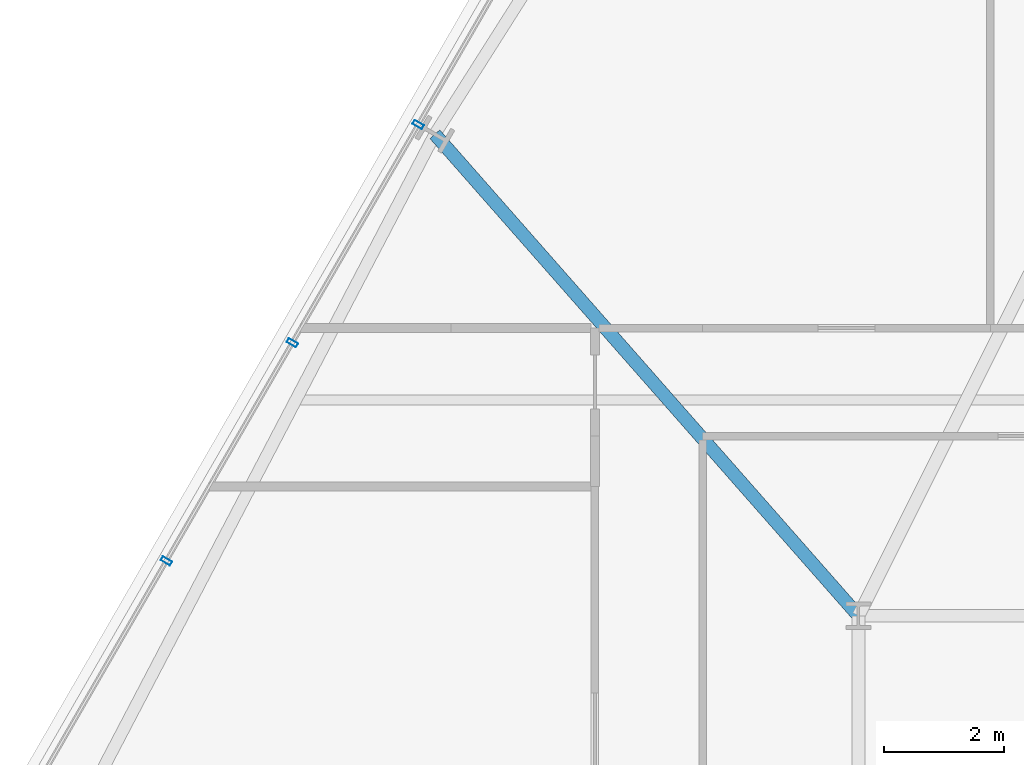
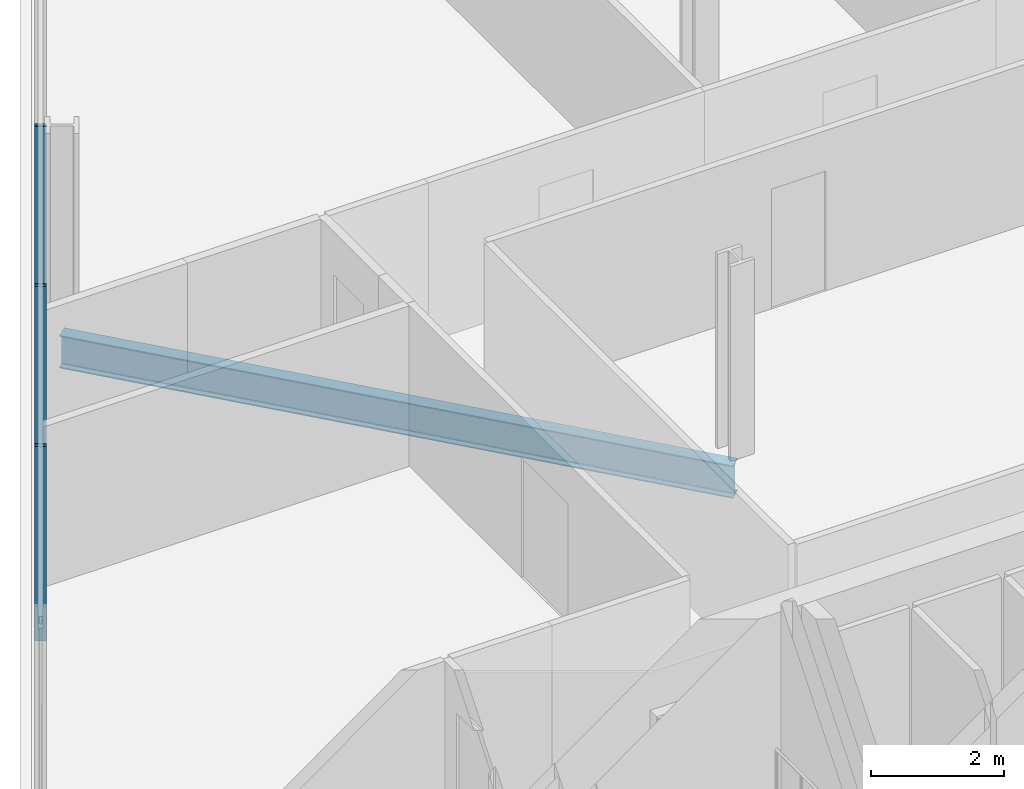
# One storey, part 11 of 31: 3 members, 1 beam, 1 element without a shape of its own.
"""IFC4 building model written with IfcOpenShell, lengths in metres."""

import ifcopenshell
import ifcopenshell.guid

model = None  # the IFC model being written
_history = None  # IfcOwnerHistory: only IFC2X3 demands one
_inside = {}  # id of a spatial element -> (the spatial element, [elements in it])
_under = {}  # id of a project, library or spatial element -> (it, [spatial elements below it])
_declared = {}  # id of a project -> (the project, [libraries it declares])
_typed = {}  # id of a type object -> (the type object, [elements of that type])
_made_of = {}  # id of a material, layer set ... -> (it, [elements and type objects made of it])


def new_model(schema):
    """Start an empty IFC model of exactly this schema.

    Asked for "IFC4X3", IfcOpenShell would pick the latest addendum, in which some entities
    have other attributes; the version numbers below select the first issue.
    IFC2X3 requires an IfcOwnerHistory on every rooted entity: one is made here for all.
    """
    global model, _history
    if schema == "IFC4X3":
        model = ifcopenshell.file(schema_version=(4, 3, 0, 0))
    else:
        model = ifcopenshell.file(schema=schema)
    _inside.clear()
    _under.clear()
    _declared.clear()
    _typed.clear()
    _made_of.clear()
    _history = None
    if model.schema == "IFC2X3":
        org = make("IfcOrganization", Name="unknown")
        user = make(
            "IfcPersonAndOrganization",
            ThePerson=make("IfcPerson", FamilyName="unknown"),
            TheOrganization=org,
        )
        app = make(
            "IfcApplication",
            ApplicationDeveloper=org,
            Version="unknown",
            ApplicationFullName="unknown",
            ApplicationIdentifier="unknown",
        )
        _history = make(
            "IfcOwnerHistory",
            OwningUser=user,
            OwningApplication=app,
            ChangeAction="ADDED",
            CreationDate=0,
        )
    return model


def make(cls, **values):
    """One entity of the class cls with the attributes given. An attribute that is None is left unset."""
    return model.create_entity(
        cls, **{name: value for name, value in values.items() if value is not None}
    )


def rooted(cls, **values):
    """An entity with a GlobalId (a new one), such as an element, a storey or a relation."""
    return make(cls, GlobalId=ifcopenshell.guid.new(), OwnerHistory=_history, **values)


def si_unit(unit_type, name, prefix=None):
    """IfcSIUnit, for example si_unit("LENGTHUNIT", "METRE", prefix="MILLI")."""
    return make("IfcSIUnit", UnitType=unit_type, Prefix=prefix, Name=name)


def assignment(units):
    """IfcUnitAssignment: the units of a project."""
    return None if units is None else make("IfcUnitAssignment", Units=units)


def point(xyz):
    """IfcCartesianPoint."""
    return None if xyz is None else make("IfcCartesianPoint", Coordinates=xyz)


def direction(xyz):
    """IfcDirection."""
    return None if xyz is None else make("IfcDirection", DirectionRatios=xyz)


def frame(location, z_axis=None, x_axis=None):
    """IfcAxis2Placement3D, a coordinate frame: its origin and axes. An axis left out is left unset."""
    return make(
        "IfcAxis2Placement3D",
        Location=point(location),
        Axis=direction(z_axis),
        RefDirection=direction(x_axis),
    )


def frame_2d(location, x_axis=None):
    """IfcAxis2Placement2D, a coordinate frame in the plane: its origin and x axis."""
    return make(
        "IfcAxis2Placement2D", Location=point(location), RefDirection=direction(x_axis)
    )


def origin():
    """The frame at (0, 0, 0) with its axes left unset."""
    return frame((0.0, 0.0, 0.0))


def origin_2d():
    """The frame at (0, 0) in the plane with its x axis left unset."""
    return frame_2d((0.0, 0.0))


def place(relative_to, where):
    """IfcLocalPlacement: puts the frame where relative to a parent placement (None: the world)."""
    return make(
        "IfcLocalPlacement", PlacementRelTo=relative_to, RelativePlacement=where
    )


def context(
    kind, dimensions, precision=None, world=None, true_north=None, identifier=None
):
    """IfcGeometricRepresentationContext, for example the 3D "Model" context."""
    return make(
        "IfcGeometricRepresentationContext",
        ContextIdentifier=identifier,
        ContextType=kind,
        CoordinateSpaceDimension=dimensions,
        Precision=precision,
        WorldCoordinateSystem=world,
        TrueNorth=true_north,
    )


def subcontext(parent, identifier, kind, view, scale=None):
    """IfcGeometricRepresentationSubContext, for example "Body" below "Model"."""
    return make(
        "IfcGeometricRepresentationSubContext",
        ContextIdentifier=identifier,
        ContextType=kind,
        ParentContext=parent,
        TargetScale=scale,
        TargetView=view,
    )


def project(units=None, contexts=None):
    """IfcProject with its units and contexts."""
    return rooted(
        "IfcProject",
        Name="project",
        RepresentationContexts=contexts,
        UnitsInContext=assignment(units),
    )


def spatial(cls, under=None, at=None, **own):
    """A site, building, storey or space (cls), placed at a placement, below another one or the project."""
    s = rooted(cls, ObjectPlacement=at, **own)
    if under is not None:
        _under.setdefault(under.id(), (under, []))[1].append(s)
    return s


def profile(cls, at=None, kind="AREA", **sizes):
    """A parametric profile (cls). Its sizes go by their IFC names, for example OverallWidth=200.0."""
    return make(cls, ProfileType=kind, Position=at, **sizes)


def hollow_rectangle(**sizes):
    """IfcRectangleHollowProfileDef."""
    return profile("IfcRectangleHollowProfileDef", **sizes)


def i_section(**sizes):
    """IfcIShapeProfileDef."""
    return profile("IfcIShapeProfileDef", **sizes)


def extrude(swept, where, along, depth):
    """IfcExtrudedAreaSolid: the profile swept, set in the frame where, extruded along a direction by depth."""
    return make(
        "IfcExtrudedAreaSolid",
        SweptArea=swept,
        Position=where,
        ExtrudedDirection=direction(along),
        Depth=depth,
    )


def shape(context_of_items, identifier, shape_type, items):
    """IfcShapeRepresentation: the items that make up one representation, for example the "Body"."""
    return make(
        "IfcShapeRepresentation",
        ContextOfItems=context_of_items,
        RepresentationIdentifier=identifier,
        RepresentationType=shape_type,
        Items=items,
    )


def material(Name=None, Category=None):
    """IfcMaterial."""
    return make("IfcMaterial", Name=Name, Category=Category)


def layer(
    of_material, thickness, ventilated=None, Name=None, Category=None, Priority=None
):
    """IfcMaterialLayer: one layer of a wall or slab, of a material (None: an air gap)."""
    return make(
        "IfcMaterialLayer",
        Material=of_material,
        LayerThickness=thickness,
        IsVentilated=ventilated,
        Name=Name,
        Category=Category,
        Priority=Priority,
    )


def layer_set(layers, Name=None):
    """IfcMaterialLayerSet."""
    return make("IfcMaterialLayerSet", MaterialLayers=layers, LayerSetName=Name)


def material_profile(
    of_material, cross_section, Name=None, Category=None, Priority=None
):
    """IfcMaterialProfile: a cross section and its material."""
    return make(
        "IfcMaterialProfile",
        Name=Name,
        Material=of_material,
        Profile=cross_section,
        Priority=Priority,
        Category=Category,
    )


def profile_set(profiles, Name=None, composite=None):
    """IfcMaterialProfileSet."""
    return make(
        "IfcMaterialProfileSet",
        Name=Name,
        MaterialProfiles=profiles,
        CompositeProfile=composite,
    )


def made_of(thing, what):
    """Note that an element or type object is made of a material, layer set ...; save() writes the relation."""
    if what is not None:
        _made_of.setdefault(what.id(), (what, []))[1].append(thing)
    return thing


def type_object(cls, material=None, **own):
    """A type object (cls), such as IfcWallType, which elements share."""
    return made_of(rooted(cls, **own), material)


def element(
    cls,
    number,
    at=None,
    inside=None,
    cuts=None,
    type_object=None,
    material=None,
    context=None,
    identifier="Body",
    shape_type=None,
    held_by="IfcProductDefinitionShape",
    body=None,
    shapes=None,
    **own,
):
    """One element of the class cls, such as IfcWall. Its Tag is "e" and its number.

    at: its placement. inside: the storey or other place that contains it. cuts: it is an
    opening in that element (IfcRelVoidsElement). A single representation is given by context,
    identifier, shape_type and body (its items); several are given by shapes. held_by: the class
    of the entity that holds the representations. save() writes the other relations.
    """
    e = rooted(cls, Tag="e%d" % number, ObjectPlacement=at, **own)
    if body is not None:
        shapes = [shape(context, identifier, shape_type, body)]
    if shapes is not None:
        e.Representation = make(held_by, Representations=shapes)
    if inside is not None:
        _inside.setdefault(inside.id(), (inside, []))[1].append(e)
    if cuts is not None:
        rooted(
            "IfcRelVoidsElement", RelatingBuildingElement=cuts, RelatedOpeningElement=e
        )
    if type_object is not None:
        _typed.setdefault(type_object.id(), (type_object, []))[1].append(e)
    return made_of(e, material)


def aggregate(whole, parts):
    """IfcRelAggregates: a whole, such as a stair, and the parts it consists of."""
    return rooted("IfcRelAggregates", RelatingObject=whole, RelatedObjects=parts)


def save(model, path):
    """Write the relations noted so far, then the file.

    IfcRelAggregates (storeys below a building ...), IfcRelContainedInSpatialStructure (elements
    in a storey), IfcRelDefinesByType, IfcRelAssociatesMaterial and IfcRelDeclares: one each for
    every whole, place, type object, material and project.
    """
    for whole, parts in _under.values():
        aggregate(whole, parts)
    for where, things in _inside.values():
        rooted(
            "IfcRelContainedInSpatialStructure",
            RelatedElements=things,
            RelatingStructure=where,
        )
    for kind, things in _typed.values():
        rooted("IfcRelDefinesByType", RelatedObjects=things, RelatingType=kind)
    for what, things in _made_of.values():
        rooted("IfcRelAssociatesMaterial", RelatedObjects=things, RelatingMaterial=what)
    for by, libraries in _declared.values():
        rooted("IfcRelDeclares", RelatingContext=by, RelatedDefinitions=libraries)
    model.write(path)


model = new_model("IFC4")

# Units and contexts
model_context = context("Model", 3, precision=1e-05, world=origin(), true_north=direction((0.0, 1.0)))
body_context = subcontext(model_context, "Body", "Model", "MODEL_VIEW")
ifc_project = project(units=[si_unit("LENGTHUNIT", "METRE"), si_unit("AREAUNIT", "SQUARE_METRE"), si_unit("VOLUMEUNIT", "CUBIC_METRE"), si_unit("PLANEANGLEUNIT", "RADIAN"), si_unit("MASSUNIT", "GRAM", prefix="KILO")], contexts=[model_context])

# Site, building, storey
site_placement = place(None, origin())
site = spatial("IfcSite", under=ifc_project, at=site_placement, CompositionType="ELEMENT")
building_placement = place(site_placement, origin())
building = spatial("IfcBuilding", under=site, at=building_placement, Name="Ndaravel Arena Tower", CompositionType="ELEMENT")
storey_placement = place(building_placement, frame((0.0, 0.0, 100.60009765625)))
storey = spatial("IfcBuildingStorey", under=building, at=storey_placement, Name="L23", CompositionType="ELEMENT", Elevation=100.60009765625)

# Beam
ifc_material_1 = material(Name="Steel S355", Category="steel")
ifc_material_profile_1 = material_profile(ifc_material_1, i_section(OverallWidth=0.219970703125, OverallDepth=0.60009765625, WebThickness=0.011962890625, FlangeThickness=0.01904296875, FilletRadius=0.02392578125, at=origin_2d()), Name="IPE 600")
ifc_profile_set_1 = profile_set([ifc_material_profile_1], Name="Steel S355")
beam_type = type_object("IfcBeamType", Name="BM-GIRD-IPE600", PredefinedType="BEAM", material=ifc_profile_set_1)
beam_placement = place(storey_placement, frame((27.12890625, 31.23779296875, -0.52001953125), z_axis=(0.660509130582, -0.750818012849, 0.0), x_axis=(0.750818012849, 0.660509130582, 0.0)))
element("IfcBeam", 1, at=beam_placement, inside=storey, type_object=beam_type, Name="L23 Radial Floor Girder FG-19", PredefinedType="BEAM", context=body_context, shape_type="SweptSolid", body=[
    extrude(i_section(OverallWidth=0.219970703125, OverallDepth=0.60009765625, WebThickness=0.011962890625, FlangeThickness=0.01904296875, FilletRadius=0.02392578125, at=origin_2d()), origin(), (0.0, 0.0, 1.0), 10.70556640625),
])

# Curtain wall, members
ifc_material_2 = material(Name="Aluminium", Category="aluminium")
ifc_layer = layer(ifc_material_2, 0.179931640625)
ifc_layer_set = layer_set([ifc_layer], Name="Aluminium")
curtain_wall_type = type_object("IfcCurtainWallType", Name="CW-SYS-03", PredefinedType="NOTDEFINED", material=ifc_layer_set)
curtain_wall_placement = place(storey_placement, origin())
curtain_wall = element("IfcCurtainWall", 2, at=curtain_wall_placement, inside=storey, type_object=curtain_wall_type, Name="L23 Faceted Crystal Curtain Wall CW-L23-E05", PredefinedType="NOTDEFINED")
ifc_material_3 = material(Name="Aluminium", Category="aluminium")
ifc_material_profile_2 = material_profile(ifc_material_3, hollow_rectangle(XDim=0.074951171875, YDim=0.179931640625, WallThickness=0.00390625, at=origin_2d()), Name="CW MULLION 75x180x4")
ifc_profile_set_2 = profile_set([ifc_material_profile_2], Name="Aluminium")
member_type = type_object("IfcMemberType", Name="MEM-CW-MUL180", PredefinedType="MULLION", material=ifc_profile_set_2)
member_1_placement = place(storey_placement, frame((26.851806640625, 31.397705078125, 0.0), z_axis=(0.0, 0.0, 1.0), x_axis=(-0.5, -0.866025403784, 0.0)))
member_1 = element("IfcMember", 3, at=member_1_placement, type_object=member_type, Name="CW-L23-E05 Mullion 04", PredefinedType="MULLION", context=body_context, shape_type="SweptSolid", body=[
    extrude(hollow_rectangle(XDim=0.074951171875, YDim=0.179931640625, WallThickness=0.00390625, at=origin_2d()), origin(), (0.0, 0.0, 1.0), 3.579833984375),
])
member_2_placement = place(storey_placement, frame((24.74951171875, 27.756591796875, 0.0), z_axis=(0.0, 0.0, 1.0), x_axis=(-0.5, -0.866025403784, 0.0)))
member_2 = element("IfcMember", 4, at=member_2_placement, type_object=member_type, Name="CW-L23-E05 Mullion 05", PredefinedType="MULLION", context=body_context, shape_type="SweptSolid", body=[
    extrude(hollow_rectangle(XDim=0.074951171875, YDim=0.179931640625, WallThickness=0.00390625, at=origin_2d()), origin(), (0.0, 0.0, 1.0), 3.579833984375),
])
member_3_placement = place(storey_placement, frame((22.647216796875, 24.115234375, 0.0), z_axis=(0.0, 0.0, 1.0), x_axis=(-0.5, -0.866025403784, 0.0)))
member_3 = element("IfcMember", 5, at=member_3_placement, type_object=member_type, Name="CW-L23-E05 Mullion 06", PredefinedType="MULLION", context=body_context, shape_type="SweptSolid", body=[
    extrude(hollow_rectangle(XDim=0.074951171875, YDim=0.179931640625, WallThickness=0.00390625, at=origin_2d()), origin(), (0.0, 0.0, 1.0), 3.579833984375),
])
aggregate(curtain_wall, [member_1, member_2, member_3])

save(model, "model.ifc")
